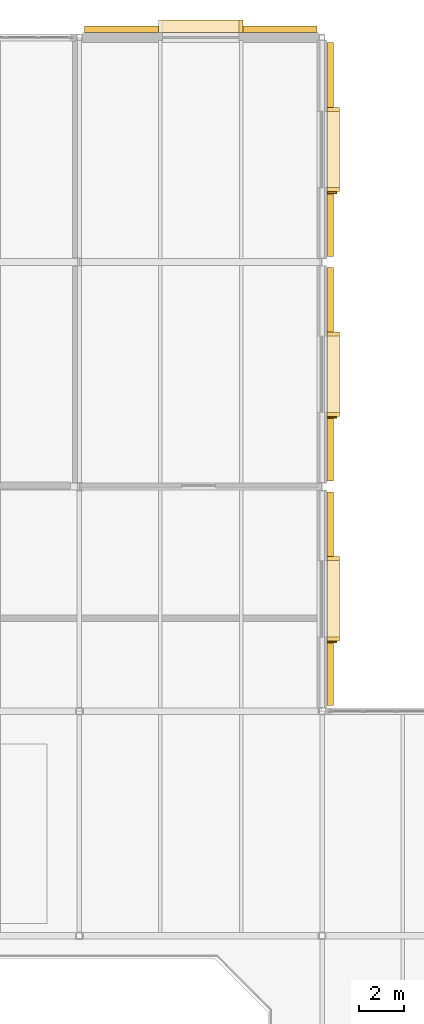
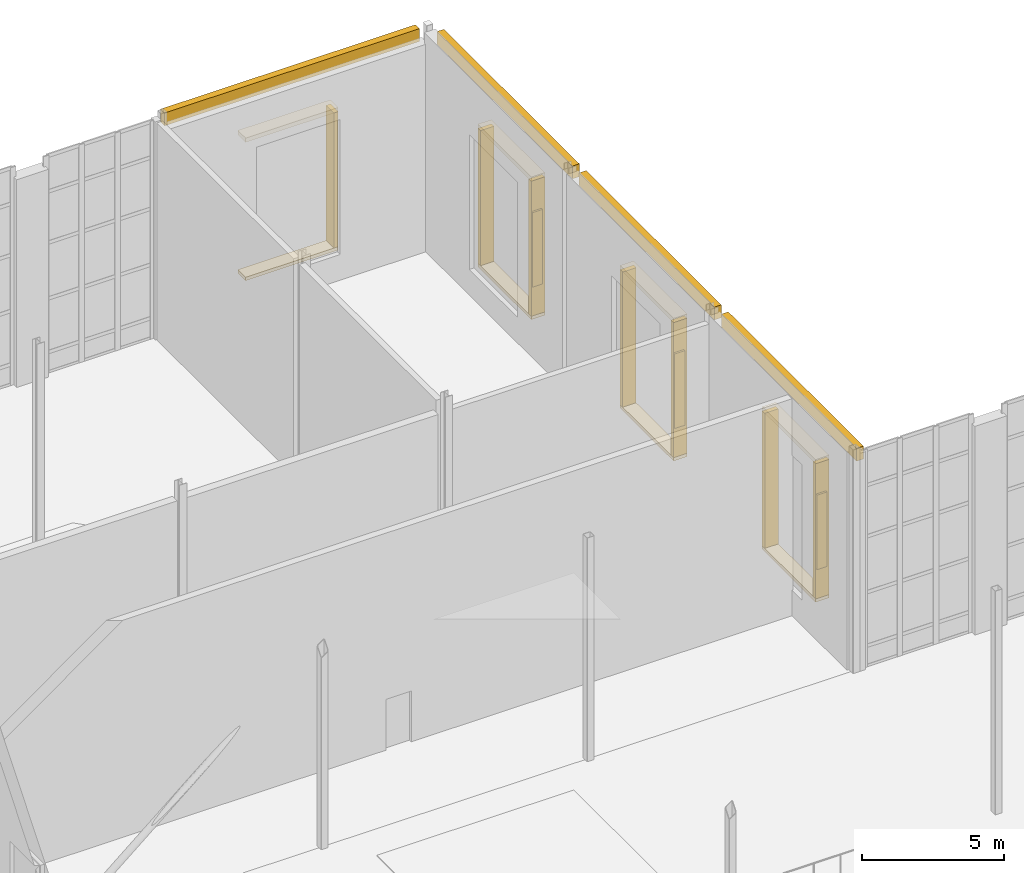
# One storey, part 99 of 100: 19 coverings, 3 shading devices.
"""IFC4 building model written with IfcOpenShell, lengths in metres."""

from ifc_helpers import new_model, si_unit, direction, frame, origin, origin_2d, place, context, subcontext, project, spatial, rectangle, extrude, material, layer, layer_set, type_object, element, save


model = new_model("IFC4")

# Units and contexts
model_context = context("Model", 3, precision=1e-05, world=origin(), true_north=direction((0.0, 1.0)))
body_context = subcontext(model_context, "Body", "Model", "MODEL_VIEW")
ifc_project = project(units=[si_unit("LENGTHUNIT", "METRE"), si_unit("AREAUNIT", "SQUARE_METRE"), si_unit("VOLUMEUNIT", "CUBIC_METRE"), si_unit("PLANEANGLEUNIT", "RADIAN"), si_unit("MASSUNIT", "GRAM", prefix="KILO")], contexts=[model_context])

# Site, building, storey
site_placement = place(None, origin())
site = spatial("IfcSite", under=ifc_project, at=site_placement, CompositionType="ELEMENT")
building_placement = place(site_placement, origin())
building = spatial("IfcBuilding", under=site, at=building_placement, Name="Tasgan Crest Museum", CompositionType="ELEMENT")
storey_placement = place(building_placement, frame((0.0, 0.0, 14.39990234375)))
storey = spatial("IfcBuildingStorey", under=building, at=storey_placement, Name="L03", CompositionType="ELEMENT", Elevation=14.39990234375)

# Coverings
ifc_material_1 = material(Name="Honed Rose-Red Mongolian Granite", Category="masonry")
ifc_layer_1 = layer(ifc_material_1, 0.0400390625, Name="COV-GRANITE-ROSE")
ifc_layer_set_1 = layer_set([ifc_layer_1], Name="Honed Rose-Red Mongolian Granite")
covering_type_1 = type_object("IfcCoveringType", Name="COV-GRANITE-ROSE", PredefinedType="CLADDING", material=ifc_layer_set_1)
for number, where, z_axis, x_axis, name in (
    (1, (97.699951171875, 85.2099609375, 1.10009765625), (0.0, 0.0, 1.0), (0.0, 1.0, 0.0), "Deep window reveal jamb L03-050"),
    (2, (97.699951171875, 88.7900390625, 1.10009765625), (0.0, 0.0, 1.0), (0.0, 1.0, 0.0), "Deep window reveal jamb L03-050"),
    (3, (97.699951171875, 95.2099609375, 1.10009765625), (0.0, 0.0, 1.0), (0.0, 1.0, 0.0), "Deep window reveal jamb L03-051"),
    (4, (97.699951171875, 98.7900390625, 1.10009765625), (0.0, 0.0, 1.0), (0.0, 1.0, 0.0), "Deep window reveal jamb L03-051"),
    (5, (97.699951171875, 105.219482421875, 1.10009765625), (0.0, 0.0, 1.0), (0.0, 1.0, 0.0), "Deep window reveal jamb L03-052"),
    (6, (97.699951171875, 108.799560546875, 1.10009765625), (0.0, 0.0, 1.0), (0.0, 1.0, 0.0), "Deep window reveal jamb L03-052"),
    (7, (93.590087890625, 112.5, 1.10009765625), (0.0, 0.0, 1.0), (-1.0, 0.0, 0.0), "Deep window reveal jamb L03-053"),
):
    element("IfcCovering", number, at=place(storey_placement, frame(where, z_axis=z_axis, x_axis=x_axis)), inside=storey, type_object=covering_type_1, Name=name, PredefinedType="CLADDING", context=body_context, shape_type="SweptSolid", body=[
        extrude(rectangle(XDim=0.179931640625, YDim=0.550048828125, at=origin_2d()), origin(), (0.0, 0.0, 1.0), 5.800048828125),
    ])
ifc_material_2 = material(Name="Honed Buff Limestone", Category="masonry")
ifc_layer_2 = layer(ifc_material_2, 0.044921875, Name="COV-LIMESTONE-BUFF")
ifc_layer_set_2 = layer_set([ifc_layer_2], Name="Honed Buff Limestone")
covering_type_2 = type_object("IfcCoveringType", Name="COV-LIMESTONE-BUFF", PredefinedType="CLADDING", material=ifc_layer_set_2)
covering_1_placement = place(storey_placement, frame((97.56494140625, 87.0, 8.76025390625), z_axis=(0.0, 0.0, 1.0), x_axis=(0.0, 1.0, 0.0)))
element("IfcCovering", 8, at=covering_1_placement, inside=storey, type_object=covering_type_2, Name="Stone frieze cladding L03", PredefinedType="CLADDING", context=body_context, shape_type="SweptSolid", body=[
    extrude(rectangle(XDim=9.510009765625, YDim=0.280029296875, at=origin_2d()), origin(), (0.0, 0.0, 1.0), 0.550048828125),
])
covering_2_placement = place(storey_placement, frame((97.699951171875, 87.0, 6.89990234375), z_axis=(0.0, 0.0, 1.0), x_axis=(0.0, 1.0, 0.0)))
element("IfcCovering", 9, at=covering_2_placement, inside=storey, type_object=covering_type_2, Name="Deep window hood L03-050", PredefinedType="CLADDING", context=body_context, shape_type="SweptSolid", body=[
    extrude(rectangle(XDim=3.760009765625, YDim=0.550048828125, at=origin_2d()), origin(), (0.0, 0.0, 1.0), 0.179931640625),
])
covering_3_placement = place(storey_placement, frame((97.699951171875, 87.0, 0.9599609375), z_axis=(0.0, 0.0, 1.0), x_axis=(0.0, 1.0, 0.0)))
element("IfcCovering", 10, at=covering_3_placement, inside=storey, type_object=covering_type_2, Name="Deep window sill L03-050", PredefinedType="CLADDING", context=body_context, shape_type="SweptSolid", body=[
    extrude(rectangle(XDim=3.760009765625, YDim=0.550048828125, at=origin_2d()), origin(), (0.0, 0.0, 1.0), 0.139892578125),
])
covering_4_placement = place(storey_placement, frame((97.56494140625, 97.0, 8.76025390625), z_axis=(0.0, 0.0, 1.0), x_axis=(0.0, 1.0, 0.0)))
element("IfcCovering", 11, at=covering_4_placement, inside=storey, type_object=covering_type_2, Name="Stone frieze cladding L03", PredefinedType="CLADDING", context=body_context, shape_type="SweptSolid", body=[
    extrude(rectangle(XDim=9.510009765625, YDim=0.280029296875, at=origin_2d()), origin(), (0.0, 0.0, 1.0), 0.550048828125),
])
covering_5_placement = place(storey_placement, frame((97.699951171875, 97.0, 6.89990234375), z_axis=(0.0, 0.0, 1.0), x_axis=(0.0, 1.0, 0.0)))
element("IfcCovering", 12, at=covering_5_placement, inside=storey, type_object=covering_type_2, Name="Deep window hood L03-051", PredefinedType="CLADDING", context=body_context, shape_type="SweptSolid", body=[
    extrude(rectangle(XDim=3.760009765625, YDim=0.550048828125, at=origin_2d()), origin(), (0.0, 0.0, 1.0), 0.179931640625),
])
covering_6_placement = place(storey_placement, frame((97.699951171875, 97.0, 0.9599609375), z_axis=(0.0, 0.0, 1.0), x_axis=(0.0, 1.0, 0.0)))
element("IfcCovering", 13, at=covering_6_placement, inside=storey, type_object=covering_type_2, Name="Deep window sill L03-051", PredefinedType="CLADDING", context=body_context, shape_type="SweptSolid", body=[
    extrude(rectangle(XDim=3.760009765625, YDim=0.550048828125, at=origin_2d()), origin(), (0.0, 0.0, 1.0), 0.139892578125),
])
covering_7_placement = place(storey_placement, frame((97.56494140625, 107.0, 8.76025390625), z_axis=(0.0, 0.0, 1.0), x_axis=(0.0, 1.0, 0.0)))
element("IfcCovering", 14, at=covering_7_placement, inside=storey, type_object=covering_type_2, Name="Stone frieze cladding L03", PredefinedType="CLADDING", context=body_context, shape_type="SweptSolid", body=[
    extrude(rectangle(XDim=9.529052734375, YDim=0.280029296875, at=origin_2d()), origin(), (0.0, 0.0, 1.0), 0.550048828125),
])
covering_8_placement = place(storey_placement, frame((97.699951171875, 107.009521484375, 6.89990234375), z_axis=(0.0, 0.0, 1.0), x_axis=(0.0, 1.0, 0.0)))
element("IfcCovering", 15, at=covering_8_placement, inside=storey, type_object=covering_type_2, Name="Deep window hood L03-052", PredefinedType="CLADDING", context=body_context, shape_type="SweptSolid", body=[
    extrude(rectangle(XDim=3.760009765625, YDim=0.550048828125, at=origin_2d()), origin(), (0.0, 0.0, 1.0), 0.179931640625),
])
covering_9_placement = place(storey_placement, frame((97.699951171875, 107.009521484375, 0.9599609375), z_axis=(0.0, 0.0, 1.0), x_axis=(0.0, 1.0, 0.0)))
element("IfcCovering", 16, at=covering_9_placement, inside=storey, type_object=covering_type_2, Name="Deep window sill L03-052", PredefinedType="CLADDING", context=body_context, shape_type="SweptSolid", body=[
    extrude(rectangle(XDim=3.760009765625, YDim=0.550048828125, at=origin_2d()), origin(), (0.0, 0.0, 1.0), 0.139892578125),
])
covering_10_placement = place(storey_placement, frame((91.800048828125, 112.364990234375, 8.76025390625), z_axis=(0.0, 0.0, 1.0), x_axis=(-1.0, 0.0, 0.0)))
element("IfcCovering", 17, at=covering_10_placement, inside=storey, type_object=covering_type_2, Name="Stone frieze cladding L03", PredefinedType="CLADDING", context=body_context, shape_type="SweptSolid", body=[
    extrude(rectangle(XDim=10.347900390625, YDim=0.280029296875, at=origin_2d()), origin(), (0.0, 0.0, 1.0), 0.550048828125),
])
covering_11_placement = place(storey_placement, frame((91.800048828125, 112.5, 6.89990234375), z_axis=(0.0, 0.0, 1.0), x_axis=(-1.0, 0.0, 0.0)))
element("IfcCovering", 18, at=covering_11_placement, inside=storey, type_object=covering_type_2, Name="Deep window hood L03-053", PredefinedType="CLADDING", context=body_context, shape_type="SweptSolid", body=[
    extrude(rectangle(XDim=3.760009765625, YDim=0.550048828125, at=origin_2d()), origin(), (0.0, 0.0, 1.0), 0.179931640625),
])
covering_12_placement = place(storey_placement, frame((91.800048828125, 112.5, 0.9599609375), z_axis=(0.0, 0.0, 1.0), x_axis=(-1.0, 0.0, 0.0)))
element("IfcCovering", 19, at=covering_12_placement, inside=storey, type_object=covering_type_2, Name="Deep window sill L03-053", PredefinedType="CLADDING", context=body_context, shape_type="SweptSolid", body=[
    extrude(rectangle(XDim=3.760009765625, YDim=0.550048828125, at=origin_2d()), origin(), (0.0, 0.0, 1.0), 0.139892578125),
])

# Shading devices
ifc_material_3 = material(Name="Anodised Bronze Aluminium", Category="aluminium")
shading_device_type = type_object("IfcShadingDeviceType", Name="SH-FIN-V400", PredefinedType="JALOUSIE", material=ifc_material_3)
for number, where, z_axis, x_axis, name in (
    (20, (97.635009765625, 85.080078125, 2.39990234375), (0.0, 0.0, 1.0), (0.0, 1.0, 0.0), "Solar shading fin L03-050"),
    (21, (97.635009765625, 95.080078125, 2.39990234375), (0.0, 0.0, 1.0), (0.0, 1.0, 0.0), "Solar shading fin L03-051"),
    (22, (97.635009765625, 105.089599609375, 2.39990234375), (0.0, 0.0, 1.0), (0.0, 1.0, 0.0), "Solar shading fin L03-052"),
):
    element("IfcShadingDevice", number, at=place(storey_placement, frame(where, z_axis=z_axis, x_axis=x_axis)), inside=storey, type_object=shading_device_type, Name=name, PredefinedType="JALOUSIE", context=body_context, shape_type="SweptSolid", body=[
        extrude(rectangle(XDim=0.080078125, YDim=0.419921875, at=origin_2d()), origin(), (0.0, 0.0, 1.0), 3.199951171875),
    ])

save(model, "model.ifc")
